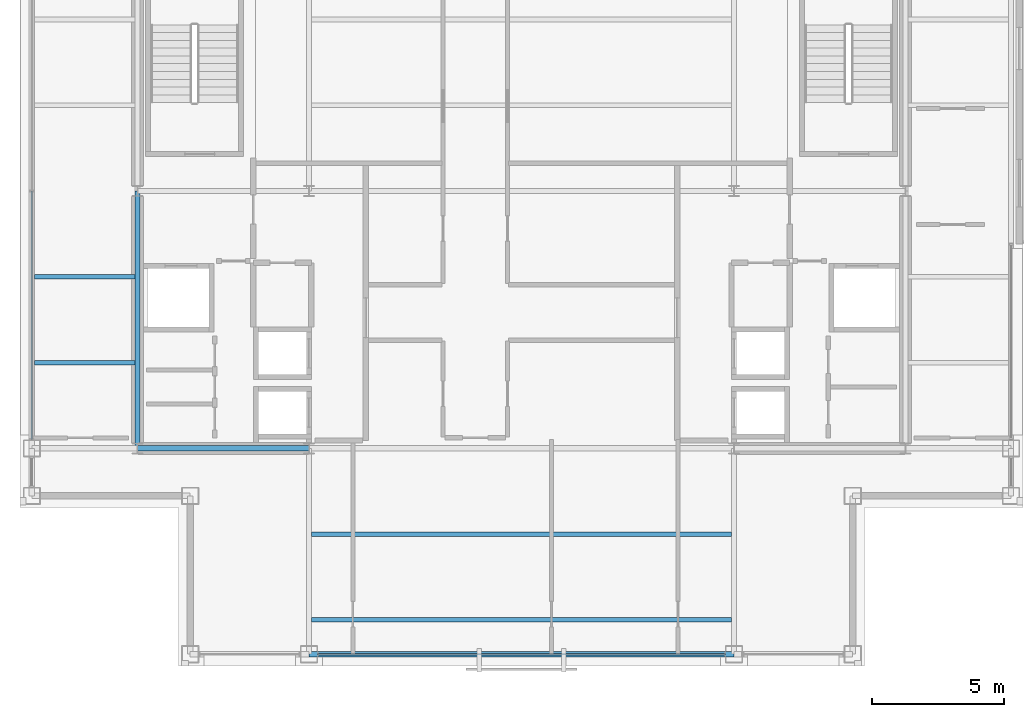
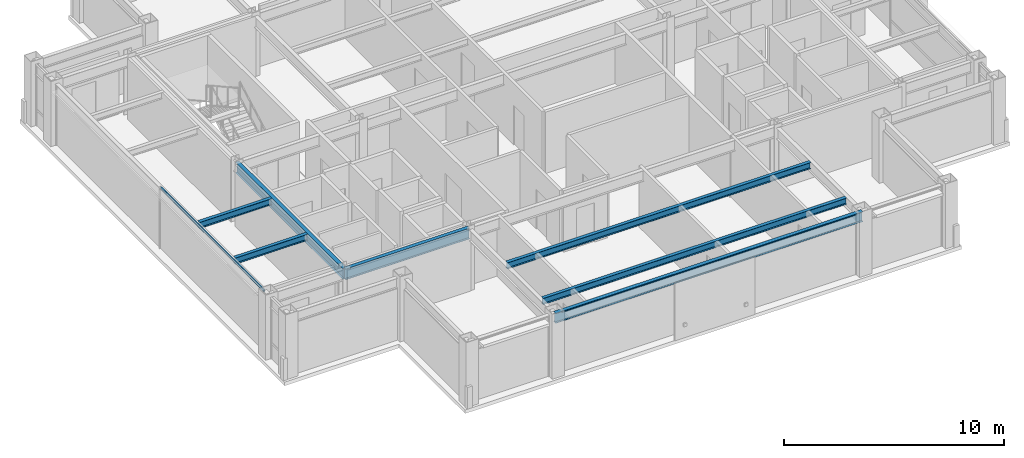
# One storey, part 4 of 24: 7 beams, 2 members, 2 elements without a shape of their own.
"""IFC4 building model written with IfcOpenShell, lengths in metres."""

from ifc_helpers import new_model, si_unit, direction, frame, origin, origin_2d, place, context, subcontext, project, spatial, hollow_rectangle, i_section, extrude, material, layer, layer_set, material_profile, profile_set, type_object, element, aggregate, save


model = new_model("IFC4")

# Units and contexts
model_context = context("Model", 3, precision=1e-05, world=origin(), true_north=direction((0.0, 1.0)))
body_context = subcontext(model_context, "Body", "Model", "MODEL_VIEW")
ifc_project = project(units=[si_unit("LENGTHUNIT", "METRE"), si_unit("AREAUNIT", "SQUARE_METRE"), si_unit("VOLUMEUNIT", "CUBIC_METRE"), si_unit("PLANEANGLEUNIT", "RADIAN"), si_unit("MASSUNIT", "GRAM", prefix="KILO")], contexts=[model_context])

# Site, building, storey
site_placement = place(None, origin())
site = spatial("IfcSite", under=ifc_project, at=site_placement, CompositionType="ELEMENT")
building_placement = place(site_placement, origin())
building = spatial("IfcBuilding", under=site, at=building_placement, Name="Brelmoor Portico Tower", CompositionType="ELEMENT")
storey_placement = place(building_placement, frame((0.0, 0.0, 232.800048828125)))
storey = spatial("IfcBuildingStorey", under=building, at=storey_placement, Name="L61", CompositionType="ELEMENT", Elevation=232.800048828125)

# Beams
ifc_material_1 = material(Name="Steel Q355B", Category="steel")
ifc_material_profile_1 = material_profile(ifc_material_1, i_section(OverallWidth=0.175048828125, OverallDepth=0.35009765625, WebThickness=0.007080078125, FlangeThickness=0.010986328125, at=origin_2d()), Name="HN 350x175x7x11")
ifc_profile_set_1 = profile_set([ifc_material_profile_1], Name="Steel Q355B")
beam_type_1 = type_object("IfcBeamType", Name="BM-JS-350", PredefinedType="JOIST", material=ifc_profile_set_1)
for number, where, z_axis, x_axis, name in (
    (1, (-7.949951171875, -16.25, 3.224853515625), (1.0, 0.0, 0.0), (0.0, 1.0, 0.0), "L61 Secondary Composite Joist JS-C01"),
    (2, (-7.949951171875, -13.0, 3.224853515625), (1.0, 0.0, 0.0), (0.0, 1.0, 0.0), "L61 Secondary Composite Joist JS-C02"),
):
    element("IfcBeam", number, at=place(storey_placement, frame(where, z_axis=z_axis, x_axis=x_axis)), inside=storey, type_object=beam_type_1, Name=name, PredefinedType="JOIST", context=body_context, shape_type="SweptSolid", body=[
        extrude(i_section(OverallWidth=0.175048828125, OverallDepth=0.35009765625, WebThickness=0.007080078125, FlangeThickness=0.010986328125, at=origin_2d()), origin(), (0.0, 0.0, 1.0), 15.89990234375),
    ])
for number, where, z_axis, x_axis, name in (
    (3, (-18.449951171875, -6.5, 3.224853515625), (1.0, 0.0, 0.0), (0.0, 1.0, 0.0), "L61 Secondary Wing Joist JS-W07"),
    (4, (-18.449951171875, -3.25, 3.224853515625), (1.0, 0.0, 0.0), (0.0, 1.0, 0.0), "L61 Secondary Wing Joist JS-W08"),
):
    element("IfcBeam", number, at=place(storey_placement, frame(where, z_axis=z_axis, x_axis=x_axis)), inside=storey, type_object=beam_type_1, Name=name, PredefinedType="JOIST", context=body_context, shape_type="SweptSolid", body=[
        extrude(i_section(OverallWidth=0.175048828125, OverallDepth=0.35009765625, WebThickness=0.007080078125, FlangeThickness=0.010986328125, at=origin_2d()), origin(), (0.0, 0.0, 1.0), 3.800048828125),
    ])
ifc_material_profile_2 = material_profile(ifc_material_1, i_section(OverallWidth=0.199951171875, OverallDepth=0.60009765625, WebThickness=0.010986328125, FlangeThickness=0.01708984375, at=origin_2d()), Name="HN 600x200x11x17")
ifc_profile_set_2 = profile_set([ifc_material_profile_2], Name="Steel Q355B")
beam_type_2 = type_object("IfcBeamType", Name="BM-PG-600", PredefinedType="BEAM", material=ifc_profile_set_2)
beam_1_placement = place(storey_placement, frame((-14.550048828125, -9.75, 3.099853515625), z_axis=(0.0, 1.0, 0.0), x_axis=(-1.0, 0.0, 0.0)))
element("IfcBeam", 5, at=beam_1_placement, inside=storey, type_object=beam_type_2, Name="L61 Primary Floor Girder PG-01", PredefinedType="BEAM", context=body_context, shape_type="SweptSolid", body=[
    extrude(i_section(OverallWidth=0.199951171875, OverallDepth=0.60009765625, WebThickness=0.010986328125, FlangeThickness=0.01708984375, at=origin_2d()), origin(), (0.0, 0.0, 1.0), 9.75),
])
beam_2_placement = place(storey_placement, frame((-14.550048828125, -9.75, 3.099853515625), z_axis=(1.0, 0.0, 0.0), x_axis=(0.0, 1.0, 0.0)))
element("IfcBeam", 6, at=beam_2_placement, inside=storey, type_object=beam_type_2, Name="L61 Primary Floor Girder PG-12", PredefinedType="BEAM", context=body_context, shape_type="SweptSolid", body=[
    extrude(i_section(OverallWidth=0.199951171875, OverallDepth=0.60009765625, WebThickness=0.010986328125, FlangeThickness=0.01708984375, at=origin_2d()), origin(), (0.0, 0.0, 1.0), 6.5),
])
ifc_material_profile_3 = material_profile(ifc_material_1, i_section(OverallWidth=0.199951171875, OverallDepth=0.550048828125, WebThickness=0.010009765625, FlangeThickness=0.01611328125, at=origin_2d()), Name="HN 550x200x10x16")
ifc_profile_set_3 = profile_set([ifc_material_profile_3], Name="Steel Q355B")
beam_type_3 = type_object("IfcBeamType", Name="BM-SP-550", PredefinedType="SPANDREL", material=ifc_profile_set_3)
beam_3_placement = place(storey_placement, frame((-8.050048828125, -17.550048828125, 3.125), z_axis=(1.0, 0.0, 0.0), x_axis=(0.0, 1.0, 0.0)))
element("IfcBeam", 7, at=beam_3_placement, inside=storey, type_object=beam_type_3, Name="L61 Perimeter Spandrel Beam SP-02", PredefinedType="SPANDREL", context=body_context, shape_type="SweptSolid", body=[
    extrude(i_section(OverallWidth=0.199951171875, OverallDepth=0.550048828125, WebThickness=0.010009765625, FlangeThickness=0.01611328125, at=origin_2d()), origin(), (0.0, 0.0, 1.0), 16.10009765625),
])

# Curtain wall, member
ifc_material_2 = material(Name="Anodised Aluminium Alloy 6063-T6", Category="aluminium")
ifc_layer = layer(ifc_material_2, 0.179931640625)
ifc_layer_set = layer_set([ifc_layer], Name="Anodised Aluminium Alloy 6063-T6")
curtain_wall_type = type_object("IfcCurtainWallType", Name="CW-TOWER-Z4-XB", PredefinedType="NOTDEFINED", material=ifc_layer_set)
curtain_wall_1_placement = place(storey_placement, origin())
curtain_wall_1 = element("IfcCurtainWall", 8, at=curtain_wall_1_placement, inside=storey, type_object=curtain_wall_type, Name="L61 Curtain Wall CW-L61-01-2", PredefinedType="NOTDEFINED")
ifc_material_profile_4 = material_profile(ifc_material_2, hollow_rectangle(XDim=0.06005859375, YDim=0.125, WallThickness=0.00341796875, at=origin_2d()), Name="ALU TRANSOM 60x125")
ifc_profile_set_4 = profile_set([ifc_material_profile_4], Name="Anodised Aluminium Alloy 6063-T6")
member_type = type_object("IfcMemberType", Name="MB-CW-TRAN-125", PredefinedType="USERDEFINED", material=ifc_profile_set_4)
member_1_placement = place(storey_placement, frame((-7.715087890625, -17.550048828125, 3.33740234375), z_axis=(1.0, 0.0, 0.0), x_axis=(0.0, 1.0, 0.0)))
member_1 = element("IfcMember", 9, at=member_1_placement, type_object=member_type, Name="CW-L61-01-2 Transom 1-00", ObjectType="TRANSOM", PredefinedType="USERDEFINED", context=body_context, shape_type="SweptSolid", body=[
    extrude(hollow_rectangle(XDim=0.06005859375, YDim=0.125, WallThickness=0.00341796875, at=origin_2d()), origin(), (0.0, 0.0, 1.0), 15.43017578125),
])
aggregate(curtain_wall_1, [member_1])

curtain_wall_2_placement = place(storey_placement, origin())
curtain_wall_2 = element("IfcCurtainWall", 10, at=curtain_wall_2_placement, inside=storey, type_object=curtain_wall_type, Name="L61 Curtain Wall CW-L61-03-2", PredefinedType="NOTDEFINED")
member_2_placement = place(storey_placement, frame((-18.550048828125, -9.4150390625, 3.33740234375), z_axis=(0.0, 1.0, 0.0), x_axis=(-1.0, 0.0, 0.0)))
member_2 = element("IfcMember", 11, at=member_2_placement, type_object=member_type, Name="CW-L61-03-2 Transom 1-00", ObjectType="TRANSOM", PredefinedType="USERDEFINED", context=body_context, shape_type="SweptSolid", body=[
    extrude(hollow_rectangle(XDim=0.06005859375, YDim=0.125, WallThickness=0.00341796875, at=origin_2d()), origin(), (0.0, 0.0, 1.0), 9.4150390625),
])
aggregate(curtain_wall_2, [member_2])

save(model, "model.ifc")
